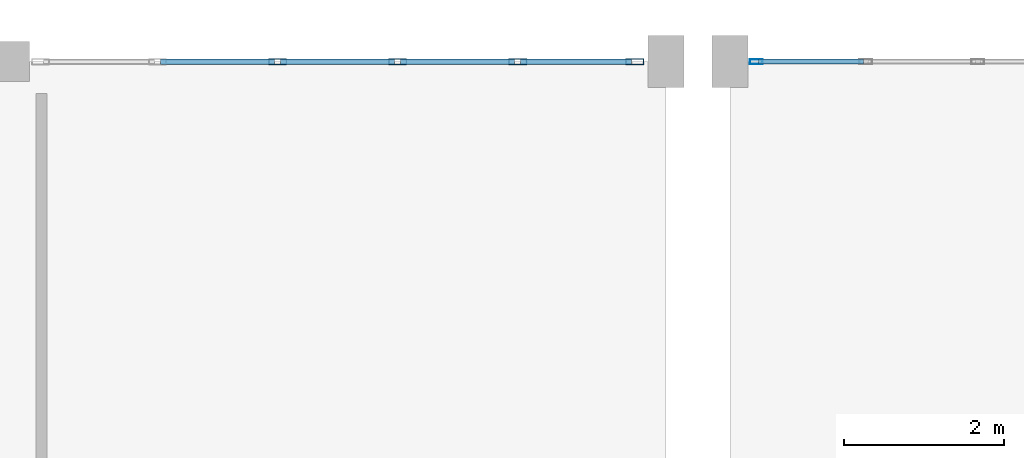
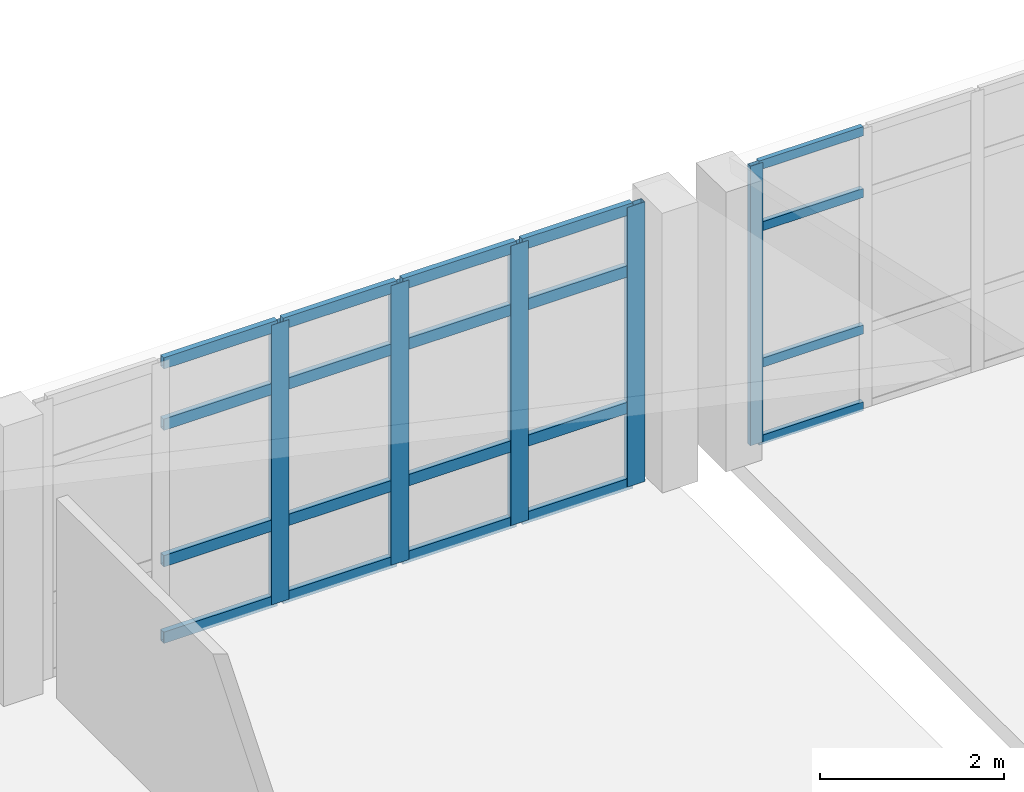
# One storey, part 72 of 156: 25 members, 2 elements without a shape of their own.
"""IFC4 building model written with IfcOpenShell, lengths in metres."""

from ifc_helpers import new_model, si_unit, direction, frame, origin, origin_2d, place, context, subcontext, project, spatial, hollow_rectangle, extrude, material, layer, layer_set, material_profile, profile_set, type_object, element, aggregate, save


model = new_model("IFC4")

# Units and contexts
model_context = context("Model", 3, precision=1e-05, world=origin(), true_north=direction((0.0, 1.0)))
body_context = subcontext(model_context, "Body", "Model", "MODEL_VIEW")
ifc_project = project(units=[si_unit("LENGTHUNIT", "METRE"), si_unit("AREAUNIT", "SQUARE_METRE"), si_unit("VOLUMEUNIT", "CUBIC_METRE"), si_unit("PLANEANGLEUNIT", "RADIAN"), si_unit("MASSUNIT", "GRAM", prefix="KILO")], contexts=[model_context])

# Site, building, storey
site_placement = place(None, origin())
site = spatial("IfcSite", under=ifc_project, at=site_placement, CompositionType="ELEMENT")
building_placement = place(site_placement, origin())
building = spatial("IfcBuilding", under=site, at=building_placement, Name="Ornek Quay Market", CompositionType="ELEMENT")
storey_placement = place(building_placement, frame((0.0, 0.0, 4.5)))
storey = spatial("IfcBuildingStorey", under=building, at=storey_placement, Name="L01", CompositionType="ELEMENT", Elevation=4.5)

# Curtain wall, member
ifc_material_1 = material(Name="Anodised bronze aluminium and triple low-e glass", Category="aluminium")
ifc_layer_1 = layer(ifc_material_1, 0.179931640625, Name="Anodised bronze aluminium and triple low-e glass", Category="aluminium")
ifc_layer_set_1 = layer_set([ifc_layer_1], Name="Anodised bronze aluminium and triple low-e glass")
curtain_wall_type_1 = type_object("IfcCurtainWallType", Name="CW-CONC-MOD1500", PredefinedType="USERDEFINED", material=ifc_layer_set_1)
curtain_wall_1_placement = place(storey_placement, origin())
curtain_wall_1 = element("IfcCurtainWall", 1, at=curtain_wall_1_placement, inside=storey, type_object=curtain_wall_type_1, Name="Curtain wall CW-033", ObjectType="CURTAIN WALL", PredefinedType="USERDEFINED")
ifc_material_2 = material(Name="Anodised aluminium 6063-T6", Category="aluminium")
ifc_material_profile_1 = material_profile(ifc_material_2, hollow_rectangle(XDim=0.06005859375, YDim=0.159912109375, WallThickness=0.00390625, at=origin_2d()), Name="CW-MUL-60x160", Category="aluminium")
ifc_profile_set_1 = profile_set([ifc_material_profile_1], Name="Anodised aluminium 6063-T6")
member_type_1 = type_object("IfcMemberType", Name="CW-MUL-60x160", PredefinedType="MULLION", material=ifc_profile_set_1)
member_1_placement = place(storey_placement, frame((126.330078125, 110.0, 0.0), z_axis=(0.0, 0.0, 1.0), x_axis=(0.0, 1.0, 0.0)))
member_1 = element("IfcMember", 2, at=member_1_placement, type_object=member_type_1, Name="CW-033 mullion 1", PredefinedType="MULLION", context=body_context, shape_type="SweptSolid", body=[
    extrude(hollow_rectangle(XDim=0.06005859375, YDim=0.159912109375, WallThickness=0.00390625, at=origin_2d()), origin(), (0.0, 0.0, 1.0), 3.7099609375),
])

# Curtain wall, members
ifc_layer_2 = layer(ifc_material_1, 0.219970703125, Name="Anodised bronze aluminium and triple low-e glass", Category="aluminium")
ifc_layer_set_2 = layer_set([ifc_layer_2], Name="Anodised bronze aluminium and triple low-e glass")
curtain_wall_type_2 = type_object("IfcCurtainWallType", Name="CW-PORCH-MOD1500", PredefinedType="USERDEFINED", material=ifc_layer_set_2)
curtain_wall_2_placement = place(storey_placement, origin())
curtain_wall_2 = element("IfcCurtainWall", 3, at=curtain_wall_2_placement, inside=storey, type_object=curtain_wall_type_2, Name="Curtain wall CW-056", ObjectType="CURTAIN WALL", PredefinedType="USERDEFINED")
ifc_material_profile_2 = material_profile(ifc_material_2, hollow_rectangle(XDim=0.074951171875, YDim=0.219970703125, WallThickness=0.0048828125, at=origin_2d()), Name="CW-MUL-75x220", Category="aluminium")
ifc_profile_set_2 = profile_set([ifc_material_profile_2], Name="Anodised aluminium 6063-T6")
member_type_2 = type_object("IfcMemberType", Name="CW-MUL-75x220", PredefinedType="MULLION", material=ifc_profile_set_2)
member_2_placement = place(storey_placement, frame((120.35009765625, 110.0, 0.0), z_axis=(0.0, 0.0, 1.0), x_axis=(0.0, 1.0, 0.0)))
member_2 = element("IfcMember", 4, at=member_2_placement, type_object=member_type_2, Name="CW-056 mullion 3", PredefinedType="MULLION", context=body_context, shape_type="SweptSolid", body=[
    extrude(hollow_rectangle(XDim=0.074951171875, YDim=0.219970703125, WallThickness=0.0048828125, at=origin_2d()), origin(), (0.0, 0.0, 1.0), 3.7099609375),
])
member_3_placement = place(storey_placement, frame((121.85009765625, 110.0, 0.0), z_axis=(0.0, 0.0, 1.0), x_axis=(0.0, 1.0, 0.0)))
member_3 = element("IfcMember", 5, at=member_3_placement, type_object=member_type_2, Name="CW-056 mullion 4", PredefinedType="MULLION", context=body_context, shape_type="SweptSolid", body=[
    extrude(hollow_rectangle(XDim=0.074951171875, YDim=0.219970703125, WallThickness=0.0048828125, at=origin_2d()), origin(), (0.0, 0.0, 1.0), 3.7099609375),
])
member_4_placement = place(storey_placement, frame((123.35009765625, 110.0, 0.0), z_axis=(0.0, 0.0, 1.0), x_axis=(0.0, 1.0, 0.0)))
member_4 = element("IfcMember", 6, at=member_4_placement, type_object=member_type_2, Name="CW-056 mullion 5", PredefinedType="MULLION", context=body_context, shape_type="SweptSolid", body=[
    extrude(hollow_rectangle(XDim=0.074951171875, YDim=0.219970703125, WallThickness=0.0048828125, at=origin_2d()), origin(), (0.0, 0.0, 1.0), 3.7099609375),
])
member_5_placement = place(storey_placement, frame((124.8125, 110.0, 0.0), z_axis=(0.0, 0.0, 1.0), x_axis=(0.0, 1.0, 0.0)))
member_5 = element("IfcMember", 7, at=member_5_placement, type_object=member_type_2, Name="CW-056 mullion 6", PredefinedType="MULLION", context=body_context, shape_type="SweptSolid", body=[
    extrude(hollow_rectangle(XDim=0.074951171875, YDim=0.219970703125, WallThickness=0.0048828125, at=origin_2d()), origin(), (0.0, 0.0, 1.0), 3.7099609375),
])

# Member
ifc_material_profile_3 = material_profile(ifc_material_2, hollow_rectangle(XDim=0.06005859375, YDim=0.1201171875, WallThickness=0.00390625, at=origin_2d()), Name="CW-TRN-60x120", Category="aluminium")
ifc_profile_set_3 = profile_set([ifc_material_profile_3], Name="Anodised aluminium 6063-T6")
member_type_3 = type_object("IfcMemberType", Name="CW-TRN-60x120", PredefinedType="USERDEFINED", material=ifc_profile_set_3)
member_6_placement = place(storey_placement, frame((126.360107421875, 110.0, 0.030029296875), z_axis=(1.0, 0.0, 0.0), x_axis=(0.0, 1.0, 0.0)))
member_6 = element("IfcMember", 8, at=member_6_placement, type_object=member_type_3, Name="CW-033 transom 1.1", ObjectType="TRANSOM", PredefinedType="USERDEFINED", context=body_context, shape_type="SweptSolid", body=[
    extrude(hollow_rectangle(XDim=0.06005859375, YDim=0.1201171875, WallThickness=0.00390625, at=origin_2d()), origin(), (0.0, 0.0, 1.0), 1.309814453125),
])

member_7_placement = place(storey_placement, frame((126.360107421875, 110.0, 1.050048828125), z_axis=(1.0, 0.0, 0.0), x_axis=(0.0, 1.0, 0.0)))
member_7 = element("IfcMember", 9, at=member_7_placement, type_object=member_type_3, Name="CW-033 transom 1.2", ObjectType="TRANSOM", PredefinedType="USERDEFINED", context=body_context, shape_type="SweptSolid", body=[
    extrude(hollow_rectangle(XDim=0.06005859375, YDim=0.1201171875, WallThickness=0.00390625, at=origin_2d()), origin(), (0.0, 0.0, 1.0), 1.309814453125),
])

member_8_placement = place(storey_placement, frame((126.360107421875, 110.0, 2.860107421875), z_axis=(1.0, 0.0, 0.0), x_axis=(0.0, 1.0, 0.0)))
member_8 = element("IfcMember", 10, at=member_8_placement, type_object=member_type_3, Name="CW-033 transom 1.3", ObjectType="TRANSOM", PredefinedType="USERDEFINED", context=body_context, shape_type="SweptSolid", body=[
    extrude(hollow_rectangle(XDim=0.06005859375, YDim=0.1201171875, WallThickness=0.00390625, at=origin_2d()), origin(), (0.0, 0.0, 1.0), 1.309814453125),
])

member_9_placement = place(storey_placement, frame((126.360107421875, 110.0, 3.679931640625), z_axis=(1.0, 0.0, 0.0), x_axis=(0.0, 1.0, 0.0)))
member_9 = element("IfcMember", 11, at=member_9_placement, type_object=member_type_3, Name="CW-033 transom 1.4", ObjectType="TRANSOM", PredefinedType="USERDEFINED", context=body_context, shape_type="SweptSolid", body=[
    extrude(hollow_rectangle(XDim=0.06005859375, YDim=0.1201171875, WallThickness=0.00390625, at=origin_2d()), origin(), (0.0, 0.0, 1.0), 1.309814453125),
])

aggregate(curtain_wall_1, [member_1, member_6, member_7, member_8, member_9])

ifc_material_profile_4 = material_profile(ifc_material_2, hollow_rectangle(XDim=0.070068359375, YDim=0.14990234375, WallThickness=0.0048828125, at=origin_2d()), Name="CW-TRN-70x150", Category="aluminium")
ifc_profile_set_4 = profile_set([ifc_material_profile_4], Name="Anodised aluminium 6063-T6")
member_type_4 = type_object("IfcMemberType", Name="CW-TRN-70x150", PredefinedType="USERDEFINED", material=ifc_profile_set_4)
member_10_placement = place(storey_placement, frame((118.887451171875, 110.0, 0.034912109375), z_axis=(1.0, 0.0, 0.0), x_axis=(0.0, 1.0, 0.0)))
member_10 = element("IfcMember", 12, at=member_10_placement, type_object=member_type_4, Name="CW-056 transom 2.1", ObjectType="TRANSOM", PredefinedType="USERDEFINED", context=body_context, shape_type="SweptSolid", body=[
    extrude(hollow_rectangle(XDim=0.070068359375, YDim=0.14990234375, WallThickness=0.0048828125, at=origin_2d()), origin(), (0.0, 0.0, 1.0), 1.425048828125),
])

member_11_placement = place(storey_placement, frame((118.887451171875, 110.0, 1.050048828125), z_axis=(1.0, 0.0, 0.0), x_axis=(0.0, 1.0, 0.0)))
member_11 = element("IfcMember", 13, at=member_11_placement, type_object=member_type_4, Name="CW-056 transom 2.2", ObjectType="TRANSOM", PredefinedType="USERDEFINED", context=body_context, shape_type="SweptSolid", body=[
    extrude(hollow_rectangle(XDim=0.070068359375, YDim=0.14990234375, WallThickness=0.0048828125, at=origin_2d()), origin(), (0.0, 0.0, 1.0), 1.425048828125),
])

member_12_placement = place(storey_placement, frame((118.887451171875, 110.0, 2.860107421875), z_axis=(1.0, 0.0, 0.0), x_axis=(0.0, 1.0, 0.0)))
member_12 = element("IfcMember", 14, at=member_12_placement, type_object=member_type_4, Name="CW-056 transom 2.3", ObjectType="TRANSOM", PredefinedType="USERDEFINED", context=body_context, shape_type="SweptSolid", body=[
    extrude(hollow_rectangle(XDim=0.070068359375, YDim=0.14990234375, WallThickness=0.0048828125, at=origin_2d()), origin(), (0.0, 0.0, 1.0), 1.425048828125),
])

member_13_placement = place(storey_placement, frame((118.887451171875, 110.0, 3.675048828125), z_axis=(1.0, 0.0, 0.0), x_axis=(0.0, 1.0, 0.0)))
member_13 = element("IfcMember", 15, at=member_13_placement, type_object=member_type_4, Name="CW-056 transom 2.4", ObjectType="TRANSOM", PredefinedType="USERDEFINED", context=body_context, shape_type="SweptSolid", body=[
    extrude(hollow_rectangle(XDim=0.070068359375, YDim=0.14990234375, WallThickness=0.0048828125, at=origin_2d()), origin(), (0.0, 0.0, 1.0), 1.425048828125),
])

member_14_placement = place(storey_placement, frame((120.387451171875, 110.0, 0.034912109375), z_axis=(1.0, 0.0, 0.0), x_axis=(0.0, 1.0, 0.0)))
member_14 = element("IfcMember", 16, at=member_14_placement, type_object=member_type_4, Name="CW-056 transom 3.1", ObjectType="TRANSOM", PredefinedType="USERDEFINED", context=body_context, shape_type="SweptSolid", body=[
    extrude(hollow_rectangle(XDim=0.070068359375, YDim=0.14990234375, WallThickness=0.0048828125, at=origin_2d()), origin(), (0.0, 0.0, 1.0), 1.425048828125),
])

member_15_placement = place(storey_placement, frame((120.387451171875, 110.0, 1.050048828125), z_axis=(1.0, 0.0, 0.0), x_axis=(0.0, 1.0, 0.0)))
member_15 = element("IfcMember", 17, at=member_15_placement, type_object=member_type_4, Name="CW-056 transom 3.2", ObjectType="TRANSOM", PredefinedType="USERDEFINED", context=body_context, shape_type="SweptSolid", body=[
    extrude(hollow_rectangle(XDim=0.070068359375, YDim=0.14990234375, WallThickness=0.0048828125, at=origin_2d()), origin(), (0.0, 0.0, 1.0), 1.425048828125),
])

member_16_placement = place(storey_placement, frame((120.387451171875, 110.0, 2.860107421875), z_axis=(1.0, 0.0, 0.0), x_axis=(0.0, 1.0, 0.0)))
member_16 = element("IfcMember", 18, at=member_16_placement, type_object=member_type_4, Name="CW-056 transom 3.3", ObjectType="TRANSOM", PredefinedType="USERDEFINED", context=body_context, shape_type="SweptSolid", body=[
    extrude(hollow_rectangle(XDim=0.070068359375, YDim=0.14990234375, WallThickness=0.0048828125, at=origin_2d()), origin(), (0.0, 0.0, 1.0), 1.425048828125),
])

member_17_placement = place(storey_placement, frame((120.387451171875, 110.0, 3.675048828125), z_axis=(1.0, 0.0, 0.0), x_axis=(0.0, 1.0, 0.0)))
member_17 = element("IfcMember", 19, at=member_17_placement, type_object=member_type_4, Name="CW-056 transom 3.4", ObjectType="TRANSOM", PredefinedType="USERDEFINED", context=body_context, shape_type="SweptSolid", body=[
    extrude(hollow_rectangle(XDim=0.070068359375, YDim=0.14990234375, WallThickness=0.0048828125, at=origin_2d()), origin(), (0.0, 0.0, 1.0), 1.425048828125),
])

member_18_placement = place(storey_placement, frame((121.887451171875, 110.0, 0.034912109375), z_axis=(1.0, 0.0, 0.0), x_axis=(0.0, 1.0, 0.0)))
member_18 = element("IfcMember", 20, at=member_18_placement, type_object=member_type_4, Name="CW-056 transom 4.1", ObjectType="TRANSOM", PredefinedType="USERDEFINED", context=body_context, shape_type="SweptSolid", body=[
    extrude(hollow_rectangle(XDim=0.070068359375, YDim=0.14990234375, WallThickness=0.0048828125, at=origin_2d()), origin(), (0.0, 0.0, 1.0), 1.425048828125),
])

member_19_placement = place(storey_placement, frame((121.887451171875, 110.0, 1.050048828125), z_axis=(1.0, 0.0, 0.0), x_axis=(0.0, 1.0, 0.0)))
member_19 = element("IfcMember", 21, at=member_19_placement, type_object=member_type_4, Name="CW-056 transom 4.2", ObjectType="TRANSOM", PredefinedType="USERDEFINED", context=body_context, shape_type="SweptSolid", body=[
    extrude(hollow_rectangle(XDim=0.070068359375, YDim=0.14990234375, WallThickness=0.0048828125, at=origin_2d()), origin(), (0.0, 0.0, 1.0), 1.425048828125),
])

member_20_placement = place(storey_placement, frame((121.887451171875, 110.0, 2.860107421875), z_axis=(1.0, 0.0, 0.0), x_axis=(0.0, 1.0, 0.0)))
member_20 = element("IfcMember", 22, at=member_20_placement, type_object=member_type_4, Name="CW-056 transom 4.3", ObjectType="TRANSOM", PredefinedType="USERDEFINED", context=body_context, shape_type="SweptSolid", body=[
    extrude(hollow_rectangle(XDim=0.070068359375, YDim=0.14990234375, WallThickness=0.0048828125, at=origin_2d()), origin(), (0.0, 0.0, 1.0), 1.425048828125),
])

member_21_placement = place(storey_placement, frame((121.887451171875, 110.0, 3.675048828125), z_axis=(1.0, 0.0, 0.0), x_axis=(0.0, 1.0, 0.0)))
member_21 = element("IfcMember", 23, at=member_21_placement, type_object=member_type_4, Name="CW-056 transom 4.4", ObjectType="TRANSOM", PredefinedType="USERDEFINED", context=body_context, shape_type="SweptSolid", body=[
    extrude(hollow_rectangle(XDim=0.070068359375, YDim=0.14990234375, WallThickness=0.0048828125, at=origin_2d()), origin(), (0.0, 0.0, 1.0), 1.425048828125),
])

member_22_placement = place(storey_placement, frame((123.387451171875, 110.0, 0.034912109375), z_axis=(1.0, 0.0, 0.0), x_axis=(0.0, 1.0, 0.0)))
member_22 = element("IfcMember", 24, at=member_22_placement, type_object=member_type_4, Name="CW-056 transom 5.1", ObjectType="TRANSOM", PredefinedType="USERDEFINED", context=body_context, shape_type="SweptSolid", body=[
    extrude(hollow_rectangle(XDim=0.070068359375, YDim=0.14990234375, WallThickness=0.0048828125, at=origin_2d()), origin(), (0.0, 0.0, 1.0), 1.387451171875),
])

member_23_placement = place(storey_placement, frame((123.387451171875, 110.0, 1.050048828125), z_axis=(1.0, 0.0, 0.0), x_axis=(0.0, 1.0, 0.0)))
member_23 = element("IfcMember", 25, at=member_23_placement, type_object=member_type_4, Name="CW-056 transom 5.2", ObjectType="TRANSOM", PredefinedType="USERDEFINED", context=body_context, shape_type="SweptSolid", body=[
    extrude(hollow_rectangle(XDim=0.070068359375, YDim=0.14990234375, WallThickness=0.0048828125, at=origin_2d()), origin(), (0.0, 0.0, 1.0), 1.387451171875),
])

member_24_placement = place(storey_placement, frame((123.387451171875, 110.0, 2.860107421875), z_axis=(1.0, 0.0, 0.0), x_axis=(0.0, 1.0, 0.0)))
member_24 = element("IfcMember", 26, at=member_24_placement, type_object=member_type_4, Name="CW-056 transom 5.3", ObjectType="TRANSOM", PredefinedType="USERDEFINED", context=body_context, shape_type="SweptSolid", body=[
    extrude(hollow_rectangle(XDim=0.070068359375, YDim=0.14990234375, WallThickness=0.0048828125, at=origin_2d()), origin(), (0.0, 0.0, 1.0), 1.387451171875),
])

member_25_placement = place(storey_placement, frame((123.387451171875, 110.0, 3.675048828125), z_axis=(1.0, 0.0, 0.0), x_axis=(0.0, 1.0, 0.0)))
member_25 = element("IfcMember", 27, at=member_25_placement, type_object=member_type_4, Name="CW-056 transom 5.4", ObjectType="TRANSOM", PredefinedType="USERDEFINED", context=body_context, shape_type="SweptSolid", body=[
    extrude(hollow_rectangle(XDim=0.070068359375, YDim=0.14990234375, WallThickness=0.0048828125, at=origin_2d()), origin(), (0.0, 0.0, 1.0), 1.387451171875),
])

aggregate(curtain_wall_2, [member_2, member_3, member_4, member_5, member_10, member_11, member_12, member_13, member_14, member_15, member_16, member_17, member_18, member_19, member_20, member_21, member_22, member_23, member_24, member_25])

save(model, "model.ifc")
